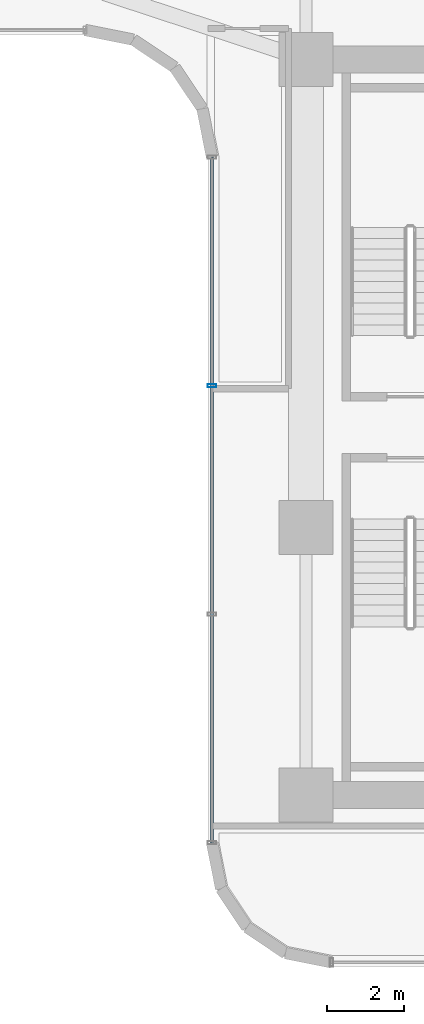
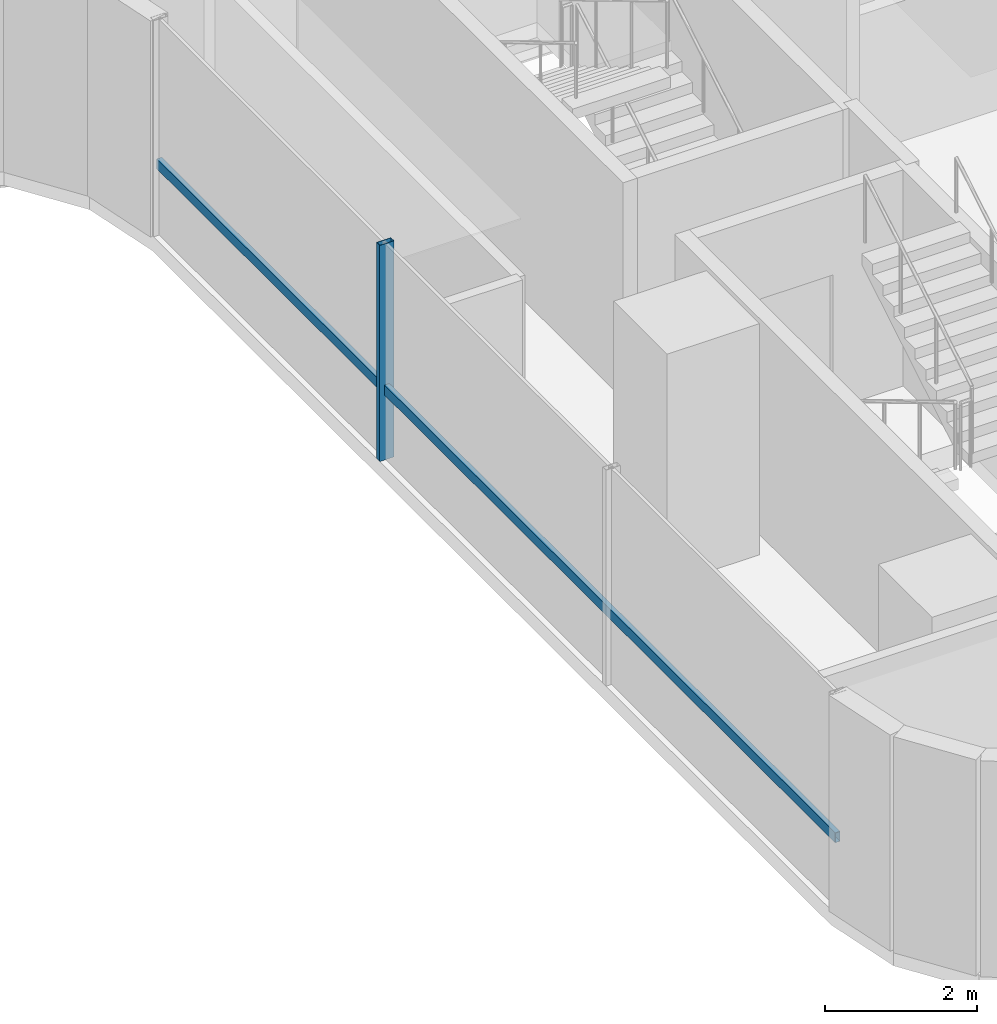
# One storey, part 15 of 41: 2 members, 1 element without a shape of its own.
"""IFC4 building model written with IfcOpenShell, lengths in metres."""

import ifcopenshell
import ifcopenshell.guid

model = None  # the IFC model being written
_history = None  # IfcOwnerHistory: only IFC2X3 demands one
_inside = {}  # id of a spatial element -> (the spatial element, [elements in it])
_under = {}  # id of a project, library or spatial element -> (it, [spatial elements below it])
_declared = {}  # id of a project -> (the project, [libraries it declares])
_typed = {}  # id of a type object -> (the type object, [elements of that type])
_made_of = {}  # id of a material, layer set ... -> (it, [elements and type objects made of it])


def new_model(schema):
    """Start an empty IFC model of exactly this schema.

    Asked for "IFC4X3", IfcOpenShell would pick the latest addendum, in which some entities
    have other attributes; the version numbers below select the first issue.
    IFC2X3 requires an IfcOwnerHistory on every rooted entity: one is made here for all.
    """
    global model, _history
    if schema == "IFC4X3":
        model = ifcopenshell.file(schema_version=(4, 3, 0, 0))
    else:
        model = ifcopenshell.file(schema=schema)
    _inside.clear()
    _under.clear()
    _declared.clear()
    _typed.clear()
    _made_of.clear()
    _history = None
    if model.schema == "IFC2X3":
        org = make("IfcOrganization", Name="unknown")
        user = make(
            "IfcPersonAndOrganization",
            ThePerson=make("IfcPerson", FamilyName="unknown"),
            TheOrganization=org,
        )
        app = make(
            "IfcApplication",
            ApplicationDeveloper=org,
            Version="unknown",
            ApplicationFullName="unknown",
            ApplicationIdentifier="unknown",
        )
        _history = make(
            "IfcOwnerHistory",
            OwningUser=user,
            OwningApplication=app,
            ChangeAction="ADDED",
            CreationDate=0,
        )
    return model


def make(cls, **values):
    """One entity of the class cls with the attributes given. An attribute that is None is left unset."""
    return model.create_entity(
        cls, **{name: value for name, value in values.items() if value is not None}
    )


def rooted(cls, **values):
    """An entity with a GlobalId (a new one), such as an element, a storey or a relation."""
    return make(cls, GlobalId=ifcopenshell.guid.new(), OwnerHistory=_history, **values)


def si_unit(unit_type, name, prefix=None):
    """IfcSIUnit, for example si_unit("LENGTHUNIT", "METRE", prefix="MILLI")."""
    return make("IfcSIUnit", UnitType=unit_type, Prefix=prefix, Name=name)


def assignment(units):
    """IfcUnitAssignment: the units of a project."""
    return None if units is None else make("IfcUnitAssignment", Units=units)


def point(xyz):
    """IfcCartesianPoint."""
    return None if xyz is None else make("IfcCartesianPoint", Coordinates=xyz)


def direction(xyz):
    """IfcDirection."""
    return None if xyz is None else make("IfcDirection", DirectionRatios=xyz)


def frame(location, z_axis=None, x_axis=None):
    """IfcAxis2Placement3D, a coordinate frame: its origin and axes. An axis left out is left unset."""
    return make(
        "IfcAxis2Placement3D",
        Location=point(location),
        Axis=direction(z_axis),
        RefDirection=direction(x_axis),
    )


def frame_2d(location, x_axis=None):
    """IfcAxis2Placement2D, a coordinate frame in the plane: its origin and x axis."""
    return make(
        "IfcAxis2Placement2D", Location=point(location), RefDirection=direction(x_axis)
    )


def origin():
    """The frame at (0, 0, 0) with its axes left unset."""
    return frame((0.0, 0.0, 0.0))


def origin_2d():
    """The frame at (0, 0) in the plane with its x axis left unset."""
    return frame_2d((0.0, 0.0))


def place(relative_to, where):
    """IfcLocalPlacement: puts the frame where relative to a parent placement (None: the world)."""
    return make(
        "IfcLocalPlacement", PlacementRelTo=relative_to, RelativePlacement=where
    )


def context(
    kind, dimensions, precision=None, world=None, true_north=None, identifier=None
):
    """IfcGeometricRepresentationContext, for example the 3D "Model" context."""
    return make(
        "IfcGeometricRepresentationContext",
        ContextIdentifier=identifier,
        ContextType=kind,
        CoordinateSpaceDimension=dimensions,
        Precision=precision,
        WorldCoordinateSystem=world,
        TrueNorth=true_north,
    )


def subcontext(parent, identifier, kind, view, scale=None):
    """IfcGeometricRepresentationSubContext, for example "Body" below "Model"."""
    return make(
        "IfcGeometricRepresentationSubContext",
        ContextIdentifier=identifier,
        ContextType=kind,
        ParentContext=parent,
        TargetScale=scale,
        TargetView=view,
    )


def project(units=None, contexts=None):
    """IfcProject with its units and contexts."""
    return rooted(
        "IfcProject",
        Name="project",
        RepresentationContexts=contexts,
        UnitsInContext=assignment(units),
    )


def spatial(cls, under=None, at=None, **own):
    """A site, building, storey or space (cls), placed at a placement, below another one or the project."""
    s = rooted(cls, ObjectPlacement=at, **own)
    if under is not None:
        _under.setdefault(under.id(), (under, []))[1].append(s)
    return s


def profile(cls, at=None, kind="AREA", **sizes):
    """A parametric profile (cls). Its sizes go by their IFC names, for example OverallWidth=200.0."""
    return make(cls, ProfileType=kind, Position=at, **sizes)


def hollow_rectangle(**sizes):
    """IfcRectangleHollowProfileDef."""
    return profile("IfcRectangleHollowProfileDef", **sizes)


def extrude(swept, where, along, depth):
    """IfcExtrudedAreaSolid: the profile swept, set in the frame where, extruded along a direction by depth."""
    return make(
        "IfcExtrudedAreaSolid",
        SweptArea=swept,
        Position=where,
        ExtrudedDirection=direction(along),
        Depth=depth,
    )


def shape(context_of_items, identifier, shape_type, items):
    """IfcShapeRepresentation: the items that make up one representation, for example the "Body"."""
    return make(
        "IfcShapeRepresentation",
        ContextOfItems=context_of_items,
        RepresentationIdentifier=identifier,
        RepresentationType=shape_type,
        Items=items,
    )


def source(mapping_origin, context_of_items, identifier, shape_type, items):
    """IfcRepresentationMap: a shape defined once, which mapped items show again and again."""
    return make(
        "IfcRepresentationMap",
        MappingOrigin=mapping_origin,
        MappedRepresentation=shape(context_of_items, identifier, shape_type, items),
    )


def transform(
    local_origin,
    x_axis=None,
    y_axis=None,
    z_axis=None,
    scale=None,
    scale2=None,
    scale3=None,
    uniform=True,
):
    """IfcCartesianTransformationOperator3D, or its non-uniform kind. x_axis, y_axis, z_axis: its Axis1, 2, 3."""
    if uniform:
        return make(
            "IfcCartesianTransformationOperator3D",
            Axis1=direction(x_axis),
            Axis2=direction(y_axis),
            LocalOrigin=point(local_origin),
            Scale=scale,
            Axis3=direction(z_axis),
        )
    return make(
        "IfcCartesianTransformationOperator3DnonUniform",
        Axis1=direction(x_axis),
        Axis2=direction(y_axis),
        LocalOrigin=point(local_origin),
        Scale=scale,
        Axis3=direction(z_axis),
        Scale2=scale2,
        Scale3=scale3,
    )


def mapped(mapping_source, mapping_target):
    """IfcMappedItem: shows the shape of a source again, moved by a transform."""
    return make(
        "IfcMappedItem", MappingSource=mapping_source, MappingTarget=mapping_target
    )


def material(Name=None, Category=None):
    """IfcMaterial."""
    return make("IfcMaterial", Name=Name, Category=Category)


def material_profile(
    of_material, cross_section, Name=None, Category=None, Priority=None
):
    """IfcMaterialProfile: a cross section and its material."""
    return make(
        "IfcMaterialProfile",
        Name=Name,
        Material=of_material,
        Profile=cross_section,
        Priority=Priority,
        Category=Category,
    )


def profile_set(profiles, Name=None, composite=None):
    """IfcMaterialProfileSet."""
    return make(
        "IfcMaterialProfileSet",
        Name=Name,
        MaterialProfiles=profiles,
        CompositeProfile=composite,
    )


def made_of(thing, what):
    """Note that an element or type object is made of a material, layer set ...; save() writes the relation."""
    if what is not None:
        _made_of.setdefault(what.id(), (what, []))[1].append(thing)
    return thing


def type_object(cls, material=None, **own):
    """A type object (cls), such as IfcWallType, which elements share."""
    return made_of(rooted(cls, **own), material)


def element(
    cls,
    number,
    at=None,
    inside=None,
    cuts=None,
    type_object=None,
    material=None,
    context=None,
    identifier="Body",
    shape_type=None,
    held_by="IfcProductDefinitionShape",
    body=None,
    shapes=None,
    **own,
):
    """One element of the class cls, such as IfcWall. Its Tag is "e" and its number.

    at: its placement. inside: the storey or other place that contains it. cuts: it is an
    opening in that element (IfcRelVoidsElement). A single representation is given by context,
    identifier, shape_type and body (its items); several are given by shapes. held_by: the class
    of the entity that holds the representations. save() writes the other relations.
    """
    e = rooted(cls, Tag="e%d" % number, ObjectPlacement=at, **own)
    if body is not None:
        shapes = [shape(context, identifier, shape_type, body)]
    if shapes is not None:
        e.Representation = make(held_by, Representations=shapes)
    if inside is not None:
        _inside.setdefault(inside.id(), (inside, []))[1].append(e)
    if cuts is not None:
        rooted(
            "IfcRelVoidsElement", RelatingBuildingElement=cuts, RelatedOpeningElement=e
        )
    if type_object is not None:
        _typed.setdefault(type_object.id(), (type_object, []))[1].append(e)
    return made_of(e, material)


def aggregate(whole, parts):
    """IfcRelAggregates: a whole, such as a stair, and the parts it consists of."""
    return rooted("IfcRelAggregates", RelatingObject=whole, RelatedObjects=parts)


def save(model, path):
    """Write the relations noted so far, then the file.

    IfcRelAggregates (storeys below a building ...), IfcRelContainedInSpatialStructure (elements
    in a storey), IfcRelDefinesByType, IfcRelAssociatesMaterial and IfcRelDeclares: one each for
    every whole, place, type object, material and project.
    """
    for whole, parts in _under.values():
        aggregate(whole, parts)
    for where, things in _inside.values():
        rooted(
            "IfcRelContainedInSpatialStructure",
            RelatedElements=things,
            RelatingStructure=where,
        )
    for kind, things in _typed.values():
        rooted("IfcRelDefinesByType", RelatedObjects=things, RelatingType=kind)
    for what, things in _made_of.values():
        rooted("IfcRelAssociatesMaterial", RelatedObjects=things, RelatingMaterial=what)
    for by, libraries in _declared.values():
        rooted("IfcRelDeclares", RelatingContext=by, RelatedDefinitions=libraries)
    model.write(path)


model = new_model("IFC4")

# Units and contexts
model_context = context("Model", 3, precision=1e-05, world=origin(), true_north=direction((0.0, 1.0)))
body_context = subcontext(model_context, "Body", "Model", "MODEL_VIEW")
ifc_project = project(units=[si_unit("LENGTHUNIT", "METRE"), si_unit("AREAUNIT", "SQUARE_METRE"), si_unit("VOLUMEUNIT", "CUBIC_METRE"), si_unit("PLANEANGLEUNIT", "RADIAN"), si_unit("MASSUNIT", "GRAM", prefix="KILO")], contexts=[model_context])

# Site, building, storey
site_placement = place(None, origin())
site = spatial("IfcSite", under=ifc_project, at=site_placement, CompositionType="ELEMENT")
building_placement = place(site_placement, origin())
building = spatial("IfcBuilding", under=site, at=building_placement, Name="Valdorenza Pilgrim Sanctuary Tower", CompositionType="ELEMENT")
storey_placement = place(building_placement, frame((0.0, 0.0, 88.89990234375)))
storey = spatial("IfcBuildingStorey", under=building, at=storey_placement, Name="L22", CompositionType="ELEMENT", Elevation=88.89990234375)

# Curtain wall, members
ifc_material_1 = material(Name="Curtain-wall IGU glazing", Category="glass")
curtain_wall_type = type_object("IfcCurtainWallType", Name="CW-SYS-03", PredefinedType="NOTDEFINED", material=ifc_material_1)
curtain_wall_placement = place(storey_placement, origin())
curtain_wall = element("IfcCurtainWall", 1, at=curtain_wall_placement, inside=storey, type_object=curtain_wall_type, Name="L22 Curtain Wall CW-L22-1-31", PredefinedType="NOTDEFINED")
ifc_material_2 = material(Name="Anodised aluminium AW-6060", Category="aluminium")
ifc_material_profile_1 = material_profile(ifc_material_2, hollow_rectangle(XDim=0.074951171875, YDim=0.159912109375, WallThickness=0.00390625, at=origin_2d()), Name="ALU-T 160x75x4")
ifc_profile_set_1 = profile_set([ifc_material_profile_1], Name="Anodised aluminium AW-6060")
member_type_1 = type_object("IfcMemberType", Name="CW-TRN-03", PredefinedType="USERDEFINED", material=ifc_profile_set_1)
shared_shape_1 = source(origin(), body_context, "Body", "SweptSolid", [
    extrude(hollow_rectangle(XDim=0.074951171875, YDim=0.159912109375, WallThickness=0.00390625, at=origin_2d()), origin(), (0.0, 0.0, 1.0), 17.800048828125),
])
member_1_placement = place(storey_placement, frame((13.409912109375, -10.789306640625, 1.1201171875), z_axis=(0.0, 1.0, 0.0), x_axis=(-1.0, 0.0, 0.0)))
member_1 = element("IfcMember", 2, at=member_1_placement, type_object=member_type_1, Name="CW-L22-1-31 Transom 1", ObjectType="TRANSOM", PredefinedType="USERDEFINED", context=body_context, shape_type="MappedRepresentation", body=[
    mapped(shared_shape_1, transform((0.0, 0.0, 0.0), x_axis=(1.0, 0.0, 0.0), y_axis=(0.0, 1.0, 0.0), z_axis=(0.0, 0.0, 1.0), scale=1.0)),
])
ifc_material_profile_2 = material_profile(ifc_material_2, hollow_rectangle(XDim=0.0849609375, YDim=0.219970703125, WallThickness=0.0048828125, at=origin_2d()), Name="ALU-M 220x85x5")
ifc_profile_set_2 = profile_set([ifc_material_profile_2], Name="Anodised aluminium AW-6060")
member_type_2 = type_object("IfcMemberType", Name="CW-MUL-03", PredefinedType="MULLION", material=ifc_profile_set_2)
shared_shape_2 = source(origin(), body_context, "Body", "SweptSolid", [
    extrude(hollow_rectangle(XDim=0.0849609375, YDim=0.219970703125, WallThickness=0.0048828125, at=origin_2d()), origin(), (0.0, 0.0, 1.0), 3.460205078125),
])
member_2_placement = place(storey_placement, frame((13.409912109375, 1.077392578125, 0.0), z_axis=(0.0, 0.0, 1.0), x_axis=(0.0, 1.0, 0.0)))
member_2 = element("IfcMember", 3, at=member_2_placement, type_object=member_type_2, Name="CW-L22-1-31 Mullion 3", PredefinedType="MULLION", context=body_context, shape_type="MappedRepresentation", body=[
    mapped(shared_shape_2, transform((0.0, 0.0, 0.0), x_axis=(1.0, 0.0, 0.0), y_axis=(0.0, 1.0, 0.0), z_axis=(0.0, 0.0, 1.0), scale=1.0)),
])
aggregate(curtain_wall, [member_2, member_1])

save(model, "model.ifc")
